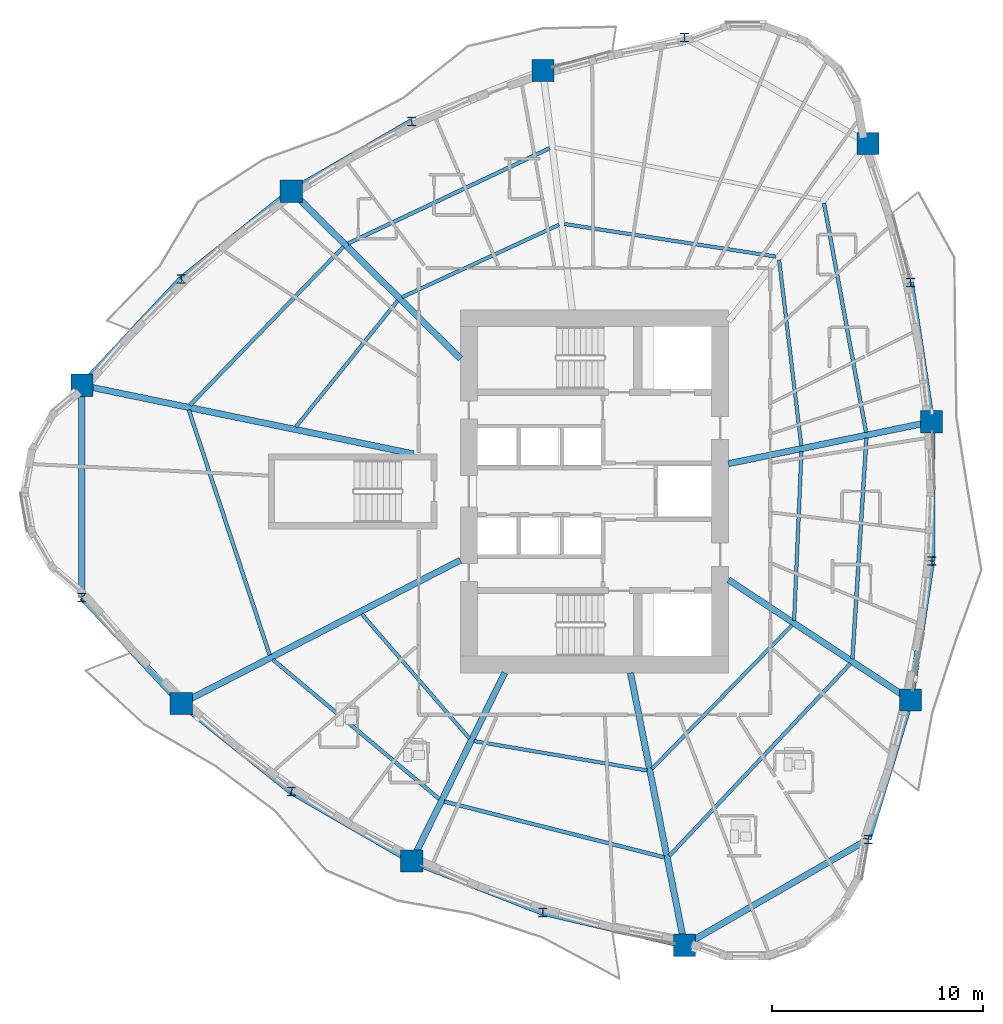
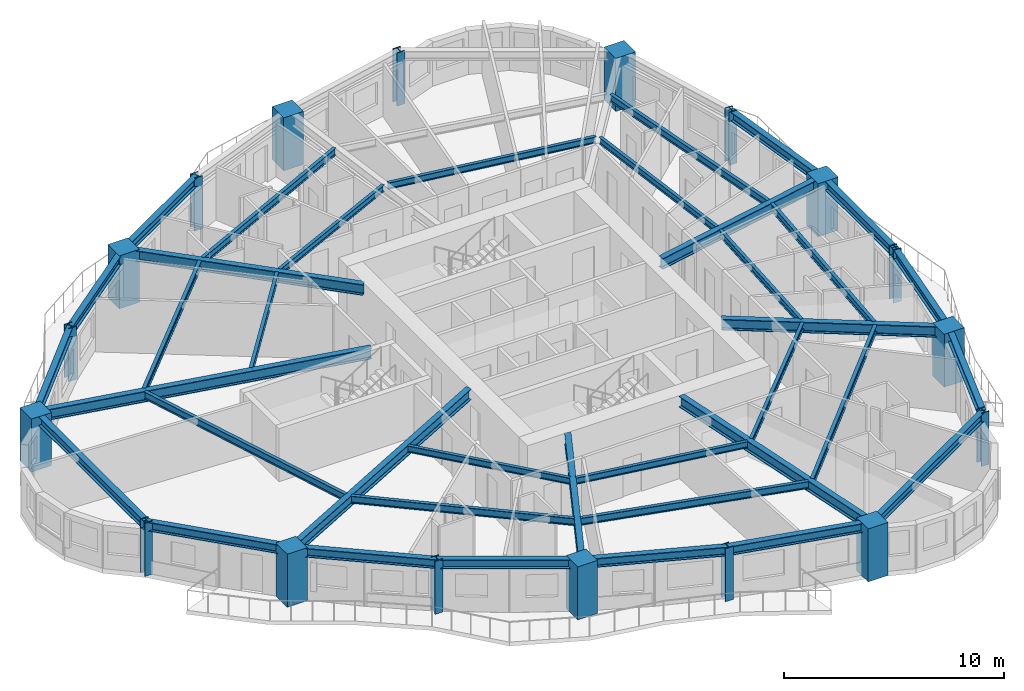
# One storey, part 1 of 14: 37 beams, 18 columns.
"""IFC4 building model written with IfcOpenShell, lengths in metres."""

from ifc_helpers import new_model, si_unit, direction, frame, origin, origin_2d, place, context, subcontext, project, spatial, rectangle, i_section, extrude, source, transform, mapped, material, material_profile, profile_set, type_object, element, save


model = new_model("IFC4")

# Units and contexts
model_context = context("Model", 3, precision=1e-05, world=origin(), true_north=direction((0.0, 1.0)))
body_context = subcontext(model_context, "Body", "Model", "MODEL_VIEW")
ifc_project = project(units=[si_unit("LENGTHUNIT", "METRE"), si_unit("AREAUNIT", "SQUARE_METRE"), si_unit("VOLUMEUNIT", "CUBIC_METRE"), si_unit("PLANEANGLEUNIT", "RADIAN"), si_unit("MASSUNIT", "GRAM", prefix="KILO")], contexts=[model_context])

# Site, building, storey
site_placement = place(None, origin())
site = spatial("IfcSite", under=ifc_project, at=site_placement, CompositionType="ELEMENT")
building_placement = place(site_placement, origin())
building = spatial("IfcBuilding", under=site, at=building_placement, Name="Qafzar Sky-Pleat Residences", CompositionType="ELEMENT")
storey_placement = place(building_placement, frame((0.0, 0.0, 39.800048828125)))
storey = spatial("IfcBuildingStorey", under=building, at=storey_placement, Name="L11", CompositionType="ELEMENT", Elevation=39.800048828125)

# Columns
ifc_material_1 = material(Name="Concrete C60/75", Category="concrete")
ifc_material_profile_1 = material_profile(ifc_material_1, rectangle(XDim=1.050048828125, YDim=1.050048828125, at=origin_2d()), Name="RC 1050x1050")
ifc_profile_set_1 = profile_set([ifc_material_profile_1], Name="Concrete C60/75")
column_type_1 = type_object("IfcColumnType", Name="COL-RC-1050", PredefinedType="COLUMN", material=ifc_profile_set_1)
shared_shape_1 = source(origin(), body_context, "Body", "SweptSolid", [
    extrude(rectangle(XDim=1.050048828125, YDim=1.050048828125, at=origin_2d()), origin(), (0.0, 0.0, 1.0), 2.93994140625),
])
for number, where, z_axis, x_axis, name in (
    (1, (6.06494140625, 31.02294921875, 0.0), (0.0, 0.0, 1.0), (1.0, 0.0, 0.0), "L11 Perimeter Mega Column 1"),
    (2, (10.773193359375, 15.944091796875, 0.0), (0.0, 0.0, 1.0), (1.0, 0.0, 0.0), "L11 Perimeter Mega Column 3"),
    (3, (21.693115234375, 8.482177734375, 0.0), (0.0, 0.0, 1.0), (1.0, 0.0, 0.0), "L11 Perimeter Mega Column 5"),
    (4, (34.617431640625, 4.4921875, 0.0), (0.0, 0.0, 1.0), (1.0, 0.0, 0.0), "L11 Perimeter Mega Column 7"),
    (5, (45.322021484375, 16.109130859375, 0.0), (0.0, 0.0, 1.0), (1.0, 0.0, 0.0), "L11 Perimeter Mega Column 9"),
    (6, (46.32421875, 29.297119140625, 0.0), (0.0, 0.0, 1.0), (1.0, 0.0, 0.0), "L11 Perimeter Mega Column 11"),
    (7, (43.3173828125, 42.48486328125, 0.0), (0.0, 0.0, 1.0), (1.0, 0.0, 0.0), "L11 Perimeter Mega Column 13"),
    (8, (27.90478515625, 45.94677734375, 0.0), (0.0, 0.0, 1.0), (1.0, 0.0, 0.0), "L11 Perimeter Mega Column 15"),
    (9, (15.982666015625, 40.220947265625, 0.0), (0.0, 0.0, 1.0), (1.0, 0.0, 0.0), "L11 Perimeter Mega Column 17"),
):
    element("IfcColumn", number, at=place(storey_placement, frame(where, z_axis=z_axis, x_axis=x_axis)), inside=storey, type_object=column_type_1, Name=name, PredefinedType="COLUMN", context=body_context, shape_type="MappedRepresentation", body=[
        mapped(shared_shape_1, transform((0.0, 0.0, 0.0), x_axis=(1.0, 0.0, 0.0), y_axis=(0.0, 1.0, 0.0), z_axis=(0.0, 0.0, 1.0), scale=1.0)),
    ])
ifc_material_2 = material(Name="Steel S460", Category="steel")
ifc_material_profile_2 = material_profile(ifc_material_2, i_section(OverallWidth=0.408935546875, OverallDepth=0.425048828125, WebThickness=0.030029296875, FlangeThickness=0.048095703125, FilletRadius=0.014892578125, at=origin_2d()), Name="HD 400x421")
ifc_profile_set_2 = profile_set([ifc_material_profile_2], Name="Steel S460")
column_type_2 = type_object("IfcColumnType", Name="COL-STL-HD421", PredefinedType="PILASTER", material=ifc_profile_set_2)
shared_shape_2 = source(origin(), body_context, "Body", "SweptSolid", [
    extrude(i_section(OverallWidth=0.408935546875, OverallDepth=0.425048828125, WebThickness=0.030029296875, FlangeThickness=0.048095703125, FilletRadius=0.014892578125, at=origin_2d()), origin(), (0.0, 0.0, 1.0), 2.93994140625),
])
for number, where, z_axis, x_axis, name in (
    (10, (6.06494140625, 20.97705078125, 0.0), (0.0, 0.0, 1.0), (1.0, 0.0, 0.0), "L11 Perimeter Mega Column 2"),
    (11, (15.982666015625, 11.779052734375, 0.0), (0.0, 0.0, 1.0), (1.0, 0.0, 0.0), "L11 Perimeter Mega Column 4"),
    (12, (27.90478515625, 6.05322265625, 0.0), (0.0, 0.0, 1.0), (1.0, 0.0, 0.0), "L11 Perimeter Mega Column 6"),
    (13, (43.3173828125, 9.51513671875, 0.0), (0.0, 0.0, 1.0), (1.0, 0.0, 0.0), "L11 Perimeter Mega Column 8"),
    (14, (46.32421875, 22.702880859375, 0.0), (0.0, 0.0, 1.0), (1.0, 0.0, 0.0), "L11 Perimeter Mega Column 10"),
    (15, (45.322021484375, 35.890869140625, 0.0), (0.0, 0.0, 1.0), (1.0, 0.0, 0.0), "L11 Perimeter Mega Column 12"),
    (16, (34.617431640625, 47.5078125, 0.0), (0.0, 0.0, 1.0), (1.0, 0.0, 0.0), "L11 Perimeter Mega Column 14"),
    (17, (21.693115234375, 43.517822265625, 0.0), (0.0, 0.0, 1.0), (1.0, 0.0, 0.0), "L11 Perimeter Mega Column 16"),
    (18, (10.773193359375, 36.055908203125, 0.0), (0.0, 0.0, 1.0), (1.0, 0.0, 0.0), "L11 Perimeter Mega Column 18"),
):
    element("IfcColumn", number, at=place(storey_placement, frame(where, z_axis=z_axis, x_axis=x_axis)), inside=storey, type_object=column_type_2, Name=name, PredefinedType="PILASTER", context=body_context, shape_type="MappedRepresentation", body=[
        mapped(shared_shape_2, transform((0.0, 0.0, 0.0), x_axis=(1.0, 0.0, 0.0), y_axis=(0.0, 1.0, 0.0), z_axis=(0.0, 0.0, 1.0), scale=1.0)),
    ])

# Beams
ifc_material_3 = material(Name="Steel S355", Category="steel")
ifc_material_profile_3 = material_profile(ifc_material_3, i_section(OverallWidth=0.300048828125, OverallDepth=0.5, WebThickness=0.014404296875, FlangeThickness=0.028076171875, FilletRadius=0.027099609375, at=origin_2d()), Name="HEB 500")
ifc_profile_set_3 = profile_set([ifc_material_profile_3], Name="Steel S355")
beam_type_1 = type_object("IfcBeamType", Name="BM-SPAN-HEB500", PredefinedType="SPANDREL", material=ifc_profile_set_3)
shared_shape_3 = source(origin(), body_context, "Body", "SweptSolid", [
    extrude(i_section(OverallWidth=0.300048828125, OverallDepth=0.5, WebThickness=0.014404296875, FlangeThickness=0.028076171875, FilletRadius=0.027099609375, at=origin_2d()), origin(), (0.0, 0.0, 1.0), 10.0458984375),
])
for number, where, z_axis, x_axis, name in (
    (19, (6.06494140625, 31.02294921875, 2.68798828125), (0.0, -1.0, 0.0), (1.0, 0.0, 0.0), "L11 Perimeter Spandrel Beam 1"),
    (20, (34.617431640625, 4.4921875, 2.68798828125), (0.866024107753, 0.500002244785, 0.0), (-0.500002244785, 0.866024107753, 0.0), "L11 Perimeter Spandrel Beam 7"),
):
    element("IfcBeam", number, at=place(storey_placement, frame(where, z_axis=z_axis, x_axis=x_axis)), inside=storey, type_object=beam_type_1, Name=name, PredefinedType="SPANDREL", context=body_context, shape_type="MappedRepresentation", body=[
        mapped(shared_shape_3, transform((0.0, 0.0, 0.0), x_axis=(1.0, 0.0, 0.0), y_axis=(0.0, 1.0, 0.0), z_axis=(0.0, 0.0, 1.0), scale=1.0)),
    ])
shared_shape_4 = source(origin(), body_context, "Body", "SweptSolid", [
    extrude(i_section(OverallWidth=0.300048828125, OverallDepth=0.5, WebThickness=0.014404296875, FlangeThickness=0.028076171875, FilletRadius=0.027099609375, at=origin_2d()), origin(), (0.0, 0.0, 1.0), 6.891845703125),
])
for number, where, z_axis, x_axis, name in (
    (21, (6.06494140625, 20.97705078125, 2.68798828125), (0.683157128776, -0.730271413519, 0.0), (0.730271413519, 0.683157128776, 0.0), "L11 Perimeter Spandrel Beam 2"),
    (22, (27.90478515625, 6.05322265625, 2.68798828125), (0.974009481097, -0.226507242122, 0.0), (0.226507242122, 0.974009481097, 0.0), "L11 Perimeter Spandrel Beam 6"),
    (23, (10.773193359375, 36.055908203125, 2.68798828125), (-0.683157128776, -0.730271413519, 0.0), (0.730271413519, -0.683157128776, 0.0), "L11 Perimeter Spandrel Beam 18"),
):
    element("IfcBeam", number, at=place(storey_placement, frame(where, z_axis=z_axis, x_axis=x_axis)), inside=storey, type_object=beam_type_1, Name=name, PredefinedType="SPANDREL", context=body_context, shape_type="MappedRepresentation", body=[
        mapped(shared_shape_4, transform((0.0, 0.0, 0.0), x_axis=(1.0, 0.0, 0.0), y_axis=(0.0, 1.0, 0.0), z_axis=(0.0, 0.0, 1.0), scale=1.0)),
    ])
shared_shape_5 = source(origin(), body_context, "Body", "SweptSolid", [
    extrude(i_section(OverallWidth=0.300048828125, OverallDepth=0.5, WebThickness=0.014404296875, FlangeThickness=0.028076171875, FilletRadius=0.027099609375, at=origin_2d()), origin(), (0.0, 0.0, 1.0), 6.669677734375),
])
for number, where, z_axis, x_axis, name in (
    (24, (10.773193359375, 15.944091796875, 2.68798828125), (0.781054472885, -0.624462897526, 0.0), (0.624462897526, 0.781054472885, 0.0), "L11 Perimeter Spandrel Beam 3"),
    (25, (21.693115234375, 8.482177734375, 2.68798828125), (0.931329164227, -0.364178510981, 0.0), (0.364178510981, 0.931329164227, 0.0), "L11 Perimeter Spandrel Beam 5"),
    (26, (15.982666015625, 40.220947265625, 2.68798828125), (-0.781054472885, -0.624462897526, 0.0), (0.624462897526, -0.781054472885, 0.0), "L11 Perimeter Spandrel Beam 17"),
):
    element("IfcBeam", number, at=place(storey_placement, frame(where, z_axis=z_axis, x_axis=x_axis)), inside=storey, type_object=beam_type_1, Name=name, PredefinedType="SPANDREL", context=body_context, shape_type="MappedRepresentation", body=[
        mapped(shared_shape_5, transform((0.0, 0.0, 0.0), x_axis=(1.0, 0.0, 0.0), y_axis=(0.0, 1.0, 0.0), z_axis=(0.0, 0.0, 1.0), scale=1.0)),
    ])
shared_shape_6 = source(origin(), body_context, "Body", "SweptSolid", [
    extrude(i_section(OverallWidth=0.300048828125, OverallDepth=0.5, WebThickness=0.014404296875, FlangeThickness=0.028076171875, FilletRadius=0.027099609375, at=origin_2d()), origin(), (0.0, 0.0, 1.0), 6.59375),
])
for number, where, z_axis, x_axis, name in (
    (27, (15.982666015625, 11.779052734375, 2.68798828125), (0.866028975758, -0.49999381311, 0.0), (0.49999381311, 0.866028975758, 0.0), "L11 Perimeter Spandrel Beam 4"),
    (28, (21.693115234375, 43.517822265625, 2.68798828125), (-0.866028975758, -0.49999381311, 0.0), (0.49999381311, -0.866028975758, 0.0), "L11 Perimeter Spandrel Beam 16"),
):
    element("IfcBeam", number, at=place(storey_placement, frame(where, z_axis=z_axis, x_axis=x_axis)), inside=storey, type_object=beam_type_1, Name=name, PredefinedType="SPANDREL", context=body_context, shape_type="MappedRepresentation", body=[
        mapped(shared_shape_6, transform((0.0, 0.0, 0.0), x_axis=(1.0, 0.0, 0.0), y_axis=(0.0, 1.0, 0.0), z_axis=(0.0, 0.0, 1.0), scale=1.0)),
    ])
shared_shape_7 = source(origin(), body_context, "Body", "SweptSolid", [
    extrude(i_section(OverallWidth=0.300048828125, OverallDepth=0.5, WebThickness=0.014404296875, FlangeThickness=0.028076171875, FilletRadius=0.027099609375, at=origin_2d()), origin(), (0.0, 0.0, 1.0), 6.89208984375),
])
beam_1_placement = place(storey_placement, frame((43.3173828125, 9.51513671875, 2.68798828125), z_axis=(0.290865585576, 0.95676392654, 0.0), x_axis=(-0.95676392654, 0.290865585576, 0.0)))
element("IfcBeam", 29, at=beam_1_placement, inside=storey, type_object=beam_type_1, Name="L11 Perimeter Spandrel Beam 8", PredefinedType="SPANDREL", context=body_context, shape_type="MappedRepresentation", body=[
    mapped(shared_shape_7, transform((0.0, 0.0, 0.0), x_axis=(1.0, 0.0, 0.0), y_axis=(0.0, 1.0, 0.0), z_axis=(0.0, 0.0, 1.0), scale=1.0)),
])
shared_shape_8 = source(origin(), body_context, "Body", "SweptSolid", [
    extrude(i_section(OverallWidth=0.300048828125, OverallDepth=0.5, WebThickness=0.014404296875, FlangeThickness=0.028076171875, FilletRadius=0.027099609375, at=origin_2d()), origin(), (0.0, 0.0, 1.0), 6.66943359375),
])
for number, where, z_axis, x_axis, name in (
    (30, (45.322021484375, 16.109130859375, 2.68798828125), (0.150266219826, 0.98864557005, 0.0), (-0.98864557005, 0.150266219826, 0.0), "L11 Perimeter Spandrel Beam 9"),
    (31, (46.32421875, 29.297119140625, 2.68798828125), (-0.150266219826, 0.98864557005, 0.0), (-0.98864557005, -0.150266219826, 0.0), "L11 Perimeter Spandrel Beam 11"),
):
    element("IfcBeam", number, at=place(storey_placement, frame(where, z_axis=z_axis, x_axis=x_axis)), inside=storey, type_object=beam_type_1, Name=name, PredefinedType="SPANDREL", context=body_context, shape_type="MappedRepresentation", body=[
        mapped(shared_shape_8, transform((0.0, 0.0, 0.0), x_axis=(1.0, 0.0, 0.0), y_axis=(0.0, 1.0, 0.0), z_axis=(0.0, 0.0, 1.0), scale=1.0)),
    ])
shared_shape_9 = source(origin(), body_context, "Body", "SweptSolid", [
    extrude(i_section(OverallWidth=0.300048828125, OverallDepth=0.5, WebThickness=0.014404296875, FlangeThickness=0.028076171875, FilletRadius=0.027099609375, at=origin_2d()), origin(), (0.0, 0.0, 1.0), 6.59423828125),
])
beam_2_placement = place(storey_placement, frame((46.32421875, 22.702880859375, 2.68798828125), z_axis=(0.0, 1.0, 0.0), x_axis=(-1.0, 0.0, 0.0)))
element("IfcBeam", 32, at=beam_2_placement, inside=storey, type_object=beam_type_1, Name="L11 Perimeter Spandrel Beam 10", PredefinedType="SPANDREL", context=body_context, shape_type="MappedRepresentation", body=[
    mapped(shared_shape_9, transform((0.0, 0.0, 0.0), x_axis=(1.0, 0.0, 0.0), y_axis=(0.0, 1.0, 0.0), z_axis=(0.0, 0.0, 1.0), scale=1.0)),
])
ifc_material_profile_4 = material_profile(ifc_material_3, i_section(OverallWidth=0.300048828125, OverallDepth=0.60009765625, WebThickness=0.015380859375, FlangeThickness=0.030029296875, FilletRadius=0.027099609375, at=origin_2d()), Name="HEB 600")
ifc_profile_set_4 = profile_set([ifc_material_profile_4], Name="Steel S355")
beam_type_2 = type_object("IfcBeamType", Name="BM-GIRD-HEB600", PredefinedType="BEAM", material=ifc_profile_set_4)
shared_shape_10 = source(origin(), body_context, "Body", "SweptSolid", [
    extrude(i_section(OverallWidth=0.300048828125, OverallDepth=0.60009765625, WebThickness=0.015380859375, FlangeThickness=0.030029296875, FilletRadius=0.027099609375, at=origin_2d()), origin(), (0.0, 0.0, 1.0), 16.035400390625),
])
beam_3_placement = place(storey_placement, frame((6.06494140625, 31.02294921875, 2.637939453125), z_axis=(0.979271250938, -0.202553245063, 0.0), x_axis=(0.202553245063, 0.979271250938, 0.0)))
element("IfcBeam", 33, at=beam_3_placement, inside=storey, type_object=beam_type_2, Name="L11 Radial Floor Girder 1", PredefinedType="BEAM", context=body_context, shape_type="MappedRepresentation", body=[
    mapped(shared_shape_10, transform((0.0, 0.0, 0.0), x_axis=(1.0, 0.0, 0.0), y_axis=(0.0, 1.0, 0.0), z_axis=(0.0, 0.0, 1.0), scale=1.0)),
])
shared_shape_11 = source(origin(), body_context, "Body", "SweptSolid", [
    extrude(i_section(OverallWidth=0.300048828125, OverallDepth=0.60009765625, WebThickness=0.015380859375, FlangeThickness=0.030029296875, FilletRadius=0.027099609375, at=origin_2d()), origin(), (0.0, 0.0, 1.0), 14.86962890625),
])
beam_4_placement = place(storey_placement, frame((10.773193359375, 15.944091796875, 2.637939453125), z_axis=(0.88951111228, 0.456913537915, 0.0), x_axis=(-0.456913537915, 0.88951111228, 0.0)))
element("IfcBeam", 34, at=beam_4_placement, inside=storey, type_object=beam_type_2, Name="L11 Radial Floor Girder 3", PredefinedType="BEAM", context=body_context, shape_type="MappedRepresentation", body=[
    mapped(shared_shape_11, transform((0.0, 0.0, 0.0), x_axis=(1.0, 0.0, 0.0), y_axis=(0.0, 1.0, 0.0), z_axis=(0.0, 0.0, 1.0), scale=1.0)),
])
shared_shape_12 = source(origin(), body_context, "Body", "SweptSolid", [
    extrude(i_section(OverallWidth=0.300048828125, OverallDepth=0.60009765625, WebThickness=0.015380859375, FlangeThickness=0.030029296875, FilletRadius=0.027099609375, at=origin_2d()), origin(), (0.0, 0.0, 1.0), 9.947265625),
])
beam_5_placement = place(storey_placement, frame((21.693115234375, 8.482177734375, 2.637939453125), z_axis=(0.443036319431, 0.896503664055, 0.0), x_axis=(-0.896503664055, 0.443036319431, 0.0)))
element("IfcBeam", 35, at=beam_5_placement, inside=storey, type_object=beam_type_2, Name="L11 Radial Floor Girder 5", PredefinedType="BEAM", context=body_context, shape_type="MappedRepresentation", body=[
    mapped(shared_shape_12, transform((0.0, 0.0, 0.0), x_axis=(1.0, 0.0, 0.0), y_axis=(0.0, 1.0, 0.0), z_axis=(0.0, 0.0, 1.0), scale=1.0)),
])
shared_shape_13 = source(origin(), body_context, "Body", "SweptSolid", [
    extrude(i_section(OverallWidth=0.300048828125, OverallDepth=0.60009765625, WebThickness=0.015380859375, FlangeThickness=0.030029296875, FilletRadius=0.027099609375, at=origin_2d()), origin(), (0.0, 0.0, 1.0), 13.159423828125),
])
beam_6_placement = place(storey_placement, frame((34.617431640625, 4.4921875, 2.637939453125), z_axis=(-0.194617421926, 0.980879227572, 0.0), x_axis=(-0.980879227572, -0.194617421926, 0.0)))
element("IfcBeam", 36, at=beam_6_placement, inside=storey, type_object=beam_type_2, Name="L11 Radial Floor Girder 7", PredefinedType="BEAM", context=body_context, shape_type="MappedRepresentation", body=[
    mapped(shared_shape_13, transform((0.0, 0.0, 0.0), x_axis=(1.0, 0.0, 0.0), y_axis=(0.0, 1.0, 0.0), z_axis=(0.0, 0.0, 1.0), scale=1.0)),
])
shared_shape_14 = source(origin(), body_context, "Body", "SweptSolid", [
    extrude(i_section(OverallWidth=0.300048828125, OverallDepth=0.60009765625, WebThickness=0.015380859375, FlangeThickness=0.030029296875, FilletRadius=0.027099609375, at=origin_2d()), origin(), (0.0, 0.0, 1.0), 10.33349609375),
])
beam_7_placement = place(storey_placement, frame((45.322021484375, 16.109130859375, 2.637939453125), z_axis=(-0.834376455405, 0.551195002395, 0.0), x_axis=(-0.551195002395, -0.834376455405, 0.0)))
element("IfcBeam", 37, at=beam_7_placement, inside=storey, type_object=beam_type_2, Name="L11 Radial Floor Girder 9", PredefinedType="BEAM", context=body_context, shape_type="MappedRepresentation", body=[
    mapped(shared_shape_14, transform((0.0, 0.0, 0.0), x_axis=(1.0, 0.0, 0.0), y_axis=(0.0, 1.0, 0.0), z_axis=(0.0, 0.0, 1.0), scale=1.0)),
])
shared_shape_15 = source(origin(), body_context, "Body", "SweptSolid", [
    extrude(i_section(OverallWidth=0.300048828125, OverallDepth=0.60009765625, WebThickness=0.015380859375, FlangeThickness=0.030029296875, FilletRadius=0.027099609375, at=origin_2d()), origin(), (0.0, 0.0, 1.0), 9.8271484375),
])
beam_8_placement = place(storey_placement, frame((46.32421875, 29.297119140625, 2.637939453125), z_axis=(-0.979354305719, -0.202151289557, 0.0), x_axis=(0.202151289557, -0.979354305719, 0.0)))
element("IfcBeam", 38, at=beam_8_placement, inside=storey, type_object=beam_type_2, Name="L11 Radial Floor Girder 11", PredefinedType="BEAM", context=body_context, shape_type="MappedRepresentation", body=[
    mapped(shared_shape_15, transform((0.0, 0.0, 0.0), x_axis=(1.0, 0.0, 0.0), y_axis=(0.0, 1.0, 0.0), z_axis=(0.0, 0.0, 1.0), scale=1.0)),
])
shared_shape_16 = source(origin(), body_context, "Body", "SweptSolid", [
    extrude(i_section(OverallWidth=0.300048828125, OverallDepth=0.60009765625, WebThickness=0.015380859375, FlangeThickness=0.030029296875, FilletRadius=0.027099609375, at=origin_2d()), origin(), (0.0, 0.0, 1.0), 11.280517578125),
])
beam_9_placement = place(storey_placement, frame((15.982666015625, 40.220947265625, 2.637939453125), z_axis=(0.710722630648, -0.703472346496, 0.0), x_axis=(0.703472346496, 0.710722630648, 0.0)))
element("IfcBeam", 39, at=beam_9_placement, inside=storey, type_object=beam_type_2, Name="L11 Radial Floor Girder 17", PredefinedType="BEAM", context=body_context, shape_type="MappedRepresentation", body=[
    mapped(shared_shape_16, transform((0.0, 0.0, 0.0), x_axis=(1.0, 0.0, 0.0), y_axis=(0.0, 1.0, 0.0), z_axis=(0.0, 0.0, 1.0), scale=1.0)),
])
ifc_material_profile_5 = material_profile(ifc_material_3, i_section(OverallWidth=0.179931640625, OverallDepth=0.39990234375, WebThickness=0.008544921875, FlangeThickness=0.013427734375, FilletRadius=0.02099609375, at=origin_2d()), Name="IPE 400")
ifc_profile_set_5 = profile_set([ifc_material_profile_5], Name="Steel S355")
beam_type_3 = type_object("IfcBeamType", Name="BM-JST-IPE400", PredefinedType="JOIST", material=ifc_profile_set_5)
shared_shape_17 = source(origin(), body_context, "Body", "SweptSolid", [
    extrude(i_section(OverallWidth=0.179931640625, OverallDepth=0.39990234375, WebThickness=0.008544921875, FlangeThickness=0.013427734375, FilletRadius=0.02099609375, at=origin_2d()), origin(), (0.0, 0.0, 1.0), 12.224853515625),
])
beam_10_placement = place(storey_placement, frame((11.13232421875, 29.85546875, 2.738037109375), z_axis=(0.313380515815, -0.949627638766, 0.0), x_axis=(0.949627638766, 0.313380515815, 0.0)))
element("IfcBeam", 40, at=beam_10_placement, inside=storey, type_object=beam_type_3, Name="L11 Outer Secondary Floor Joist 1", PredefinedType="JOIST", context=body_context, shape_type="MappedRepresentation", body=[
    mapped(shared_shape_17, transform((0.0, 0.0, 0.0), x_axis=(1.0, 0.0, 0.0), y_axis=(0.0, 1.0, 0.0), z_axis=(0.0, 0.0, 1.0), scale=1.0)),
])
shared_shape_18 = source(origin(), body_context, "Body", "SweptSolid", [
    extrude(i_section(OverallWidth=0.179931640625, OverallDepth=0.39990234375, WebThickness=0.008544921875, FlangeThickness=0.013427734375, FilletRadius=0.02099609375, at=origin_2d()), origin(), (0.0, 0.0, 1.0), 10.29248046875),
])
beam_11_placement = place(storey_placement, frame((15.109375, 18.031494140625, 2.738037109375), z_axis=(0.766614834717, -0.642107230291, 0.0), x_axis=(0.642107230291, 0.766614834717, 0.0)))
element("IfcBeam", 41, at=beam_11_placement, inside=storey, type_object=beam_type_3, Name="L11 Outer Secondary Floor Joist 2", PredefinedType="JOIST", context=body_context, shape_type="MappedRepresentation", body=[
    mapped(shared_shape_18, transform((0.0, 0.0, 0.0), x_axis=(1.0, 0.0, 0.0), y_axis=(0.0, 1.0, 0.0), z_axis=(0.0, 0.0, 1.0), scale=1.0)),
])
shared_shape_19 = source(origin(), body_context, "Body", "SweptSolid", [
    extrude(i_section(OverallWidth=0.179931640625, OverallDepth=0.39990234375, WebThickness=0.008544921875, FlangeThickness=0.013427734375, FilletRadius=0.02099609375, at=origin_2d()), origin(), (0.0, 0.0, 1.0), 10.763427734375),
])
beam_12_placement = place(storey_placement, frame((23.234130859375, 11.302734375, 2.738037109375), z_axis=(0.969294730882, -0.245901859862, 0.0), x_axis=(0.245901859862, 0.969294730882, 0.0)))
element("IfcBeam", 42, at=beam_12_placement, inside=storey, type_object=beam_type_3, Name="L11 Outer Secondary Floor Joist 3", PredefinedType="JOIST", context=body_context, shape_type="MappedRepresentation", body=[
    mapped(shared_shape_19, transform((0.0, 0.0, 0.0), x_axis=(1.0, 0.0, 0.0), y_axis=(0.0, 1.0, 0.0), z_axis=(0.0, 0.0, 1.0), scale=1.0)),
])
shared_shape_20 = source(origin(), body_context, "Body", "SweptSolid", [
    extrude(i_section(OverallWidth=0.179931640625, OverallDepth=0.39990234375, WebThickness=0.008544921875, FlangeThickness=0.013427734375, FilletRadius=0.02099609375, at=origin_2d()), origin(), (0.0, 0.0, 1.0), 12.51611328125),
])
beam_13_placement = place(storey_placement, frame((33.890380859375, 8.72119140625, 2.738037109375), z_axis=(0.685525313068, 0.728048793106, 0.0), x_axis=(-0.728048793106, 0.685525313068, 0.0)))
element("IfcBeam", 43, at=beam_13_placement, inside=storey, type_object=beam_type_3, Name="L11 Outer Secondary Floor Joist 4", PredefinedType="JOIST", context=body_context, shape_type="MappedRepresentation", body=[
    mapped(shared_shape_20, transform((0.0, 0.0, 0.0), x_axis=(1.0, 0.0, 0.0), y_axis=(0.0, 1.0, 0.0), z_axis=(0.0, 0.0, 1.0), scale=1.0)),
])
shared_shape_21 = source(origin(), body_context, "Body", "SweptSolid", [
    extrude(i_section(OverallWidth=0.179931640625, OverallDepth=0.39990234375, WebThickness=0.008544921875, FlangeThickness=0.013427734375, FilletRadius=0.02099609375, at=origin_2d()), origin(), (0.0, 0.0, 1.0), 10.481201171875),
])
beam_14_placement = place(storey_placement, frame((42.571533203125, 18.06640625, 2.738037109375), z_axis=(0.063403507152, 0.997987973515, 0.0), x_axis=(-0.997987973515, 0.063403507152, 0.0)))
element("IfcBeam", 44, at=beam_14_placement, inside=storey, type_object=beam_type_3, Name="L11 Outer Secondary Floor Joist 5", PredefinedType="JOIST", context=body_context, shape_type="MappedRepresentation", body=[
    mapped(shared_shape_21, transform((0.0, 0.0, 0.0), x_axis=(1.0, 0.0, 0.0), y_axis=(0.0, 1.0, 0.0), z_axis=(0.0, 0.0, 1.0), scale=1.0)),
])
shared_shape_22 = source(origin(), body_context, "Body", "SweptSolid", [
    extrude(i_section(OverallWidth=0.179931640625, OverallDepth=0.39990234375, WebThickness=0.008544921875, FlangeThickness=0.013427734375, FilletRadius=0.02099609375, at=origin_2d()), origin(), (0.0, 0.0, 1.0), 11.0478515625),
])
beam_15_placement = place(storey_placement, frame((43.22021484375, 28.794189453125, 2.738037109375), z_axis=(-0.180656755631, 0.983546204631, 0.0), x_axis=(-0.983546204631, -0.180656755631, 0.0)))
element("IfcBeam", 45, at=beam_15_placement, inside=storey, type_object=beam_type_3, Name="L11 Outer Secondary Floor Joist 6", PredefinedType="JOIST", context=body_context, shape_type="MappedRepresentation", body=[
    mapped(shared_shape_22, transform((0.0, 0.0, 0.0), x_axis=(1.0, 0.0, 0.0), y_axis=(0.0, 1.0, 0.0), z_axis=(0.0, 0.0, 1.0), scale=1.0)),
])
shared_shape_23 = source(origin(), body_context, "Body", "SweptSolid", [
    extrude(i_section(OverallWidth=0.179931640625, OverallDepth=0.39990234375, WebThickness=0.008544921875, FlangeThickness=0.013427734375, FilletRadius=0.02099609375, at=origin_2d()), origin(), (0.0, 0.0, 1.0), 10.572021484375),
])
beam_16_placement = place(storey_placement, frame((28.227783203125, 42.258056640625, 2.738037109375), z_axis=(-0.904048417002, -0.427430064123, 0.0), x_axis=(0.427430064123, -0.904048417002, 0.0)))
element("IfcBeam", 46, at=beam_16_placement, inside=storey, type_object=beam_type_3, Name="L11 Outer Secondary Floor Joist 8", PredefinedType="JOIST", context=body_context, shape_type="MappedRepresentation", body=[
    mapped(shared_shape_23, transform((0.0, 0.0, 0.0), x_axis=(1.0, 0.0, 0.0), y_axis=(0.0, 1.0, 0.0), z_axis=(0.0, 0.0, 1.0), scale=1.0)),
])
shared_shape_24 = source(origin(), body_context, "Body", "SweptSolid", [
    extrude(i_section(OverallWidth=0.179931640625, OverallDepth=0.39990234375, WebThickness=0.008544921875, FlangeThickness=0.013427734375, FilletRadius=0.02099609375, at=origin_2d()), origin(), (0.0, 0.0, 1.0), 10.448486328125),
])
beam_17_placement = place(storey_placement, frame((18.4541015625, 37.584716796875, 2.738037109375), z_axis=(-0.69582572679, -0.718210664037, 0.0), x_axis=(0.718210664037, -0.69582572679, 0.0)))
element("IfcBeam", 47, at=beam_17_placement, inside=storey, type_object=beam_type_3, Name="L11 Outer Secondary Floor Joist 9", PredefinedType="JOIST", context=body_context, shape_type="MappedRepresentation", body=[
    mapped(shared_shape_24, transform((0.0, 0.0, 0.0), x_axis=(1.0, 0.0, 0.0), y_axis=(0.0, 1.0, 0.0), z_axis=(0.0, 0.0, 1.0), scale=1.0)),
])
ifc_material_profile_6 = material_profile(ifc_material_3, i_section(OverallWidth=0.169921875, OverallDepth=0.360107421875, WebThickness=0.008056640625, FlangeThickness=0.0126953125, FilletRadius=0.01806640625, at=origin_2d()), Name="IPE 360")
ifc_profile_set_6 = profile_set([ifc_material_profile_6], Name="Steel S355")
beam_type_4 = type_object("IfcBeamType", Name="BM-JST-IPE360", PredefinedType="JOIST", material=ifc_profile_set_6)
shared_shape_25 = source(origin(), body_context, "Body", "SweptSolid", [
    extrude(i_section(OverallWidth=0.169921875, OverallDepth=0.360107421875, WebThickness=0.008056640625, FlangeThickness=0.0126953125, FilletRadius=0.01806640625, at=origin_2d()), origin(), (0.0, 0.0, 1.0), 7.796630859375),
])
beam_18_placement = place(storey_placement, frame((19.32666015625, 20.190185546875, 2.758056640625), z_axis=(0.65395243507, -0.756535665164, 0.0), x_axis=(0.756535665164, 0.65395243507, 0.0)))
element("IfcBeam", 48, at=beam_18_placement, inside=storey, type_object=beam_type_4, Name="L11 Inner Secondary Floor Joist 2", PredefinedType="JOIST", context=body_context, shape_type="MappedRepresentation", body=[
    mapped(shared_shape_25, transform((0.0, 0.0, 0.0), x_axis=(1.0, 0.0, 0.0), y_axis=(0.0, 1.0, 0.0), z_axis=(0.0, 0.0, 1.0), scale=1.0)),
])
shared_shape_26 = source(origin(), body_context, "Body", "SweptSolid", [
    extrude(i_section(OverallWidth=0.169921875, OverallDepth=0.360107421875, WebThickness=0.008056640625, FlangeThickness=0.0126953125, FilletRadius=0.01806640625, at=origin_2d()), origin(), (0.0, 0.0, 1.0), 8.315673828125),
])
beam_19_placement = place(storey_placement, frame((24.646728515625, 14.1669921875, 2.758056640625), z_axis=(0.985908042509, -0.167288169686, 0.0), x_axis=(0.167288169686, 0.985908042509, 0.0)))
element("IfcBeam", 49, at=beam_19_placement, inside=storey, type_object=beam_type_4, Name="L11 Inner Secondary Floor Joist 3", PredefinedType="JOIST", context=body_context, shape_type="MappedRepresentation", body=[
    mapped(shared_shape_26, transform((0.0, 0.0, 0.0), x_axis=(1.0, 0.0, 0.0), y_axis=(0.0, 1.0, 0.0), z_axis=(0.0, 0.0, 1.0), scale=1.0)),
])
shared_shape_27 = source(origin(), body_context, "Body", "SweptSolid", [
    extrude(i_section(OverallWidth=0.169921875, OverallDepth=0.360107421875, WebThickness=0.008056640625, FlangeThickness=0.0126953125, FilletRadius=0.01806640625, at=origin_2d()), origin(), (0.0, 0.0, 1.0), 9.5078125),
])
beam_20_placement = place(storey_placement, frame((33.072509765625, 12.849853515625, 2.758056640625), z_axis=(0.698075453476, 0.716024204377, 0.0), x_axis=(-0.716024204377, 0.698075453476, 0.0)))
element("IfcBeam", 50, at=beam_20_placement, inside=storey, type_object=beam_type_4, Name="L11 Inner Secondary Floor Joist 4", PredefinedType="JOIST", context=body_context, shape_type="MappedRepresentation", body=[
    mapped(shared_shape_27, transform((0.0, 0.0, 0.0), x_axis=(1.0, 0.0, 0.0), y_axis=(0.0, 1.0, 0.0), z_axis=(0.0, 0.0, 1.0), scale=1.0)),
])
shared_shape_28 = source(origin(), body_context, "Body", "SweptSolid", [
    extrude(i_section(OverallWidth=0.169921875, OverallDepth=0.360107421875, WebThickness=0.008056640625, FlangeThickness=0.0126953125, FilletRadius=0.01806640625, at=origin_2d()), origin(), (0.0, 0.0, 1.0), 8.009033203125),
])
beam_21_placement = place(storey_placement, frame((39.809814453125, 19.889404296875, 2.758056640625), z_axis=(0.043590673979, 0.999049474822, 0.0), x_axis=(-0.999049474822, 0.043590673979, 0.0)))
element("IfcBeam", 51, at=beam_21_placement, inside=storey, type_object=beam_type_4, Name="L11 Inner Secondary Floor Joist 5", PredefinedType="JOIST", context=body_context, shape_type="MappedRepresentation", body=[
    mapped(shared_shape_28, transform((0.0, 0.0, 0.0), x_axis=(1.0, 0.0, 0.0), y_axis=(0.0, 1.0, 0.0), z_axis=(0.0, 0.0, 1.0), scale=1.0)),
])
shared_shape_29 = source(origin(), body_context, "Body", "SweptSolid", [
    extrude(i_section(OverallWidth=0.169921875, OverallDepth=0.360107421875, WebThickness=0.008056640625, FlangeThickness=0.0126953125, FilletRadius=0.01806640625, at=origin_2d()), origin(), (0.0, 0.0, 1.0), 8.869384765625),
])
beam_22_placement = place(storey_placement, frame((40.148681640625, 28.159912109375, 2.758056640625), z_axis=(-0.118419036008, 0.992963711276, 0.0), x_axis=(-0.992963711276, -0.118419036008, 0.0)))
element("IfcBeam", 52, at=beam_22_placement, inside=storey, type_object=beam_type_4, Name="L11 Inner Secondary Floor Joist 6", PredefinedType="JOIST", context=body_context, shape_type="MappedRepresentation", body=[
    mapped(shared_shape_29, transform((0.0, 0.0, 0.0), x_axis=(1.0, 0.0, 0.0), y_axis=(0.0, 1.0, 0.0), z_axis=(0.0, 0.0, 1.0), scale=1.0)),
])
shared_shape_30 = source(origin(), body_context, "Body", "SweptSolid", [
    extrude(i_section(OverallWidth=0.169921875, OverallDepth=0.360107421875, WebThickness=0.008056640625, FlangeThickness=0.0126953125, FilletRadius=0.01806640625, at=origin_2d()), origin(), (0.0, 0.0, 1.0), 10.138671875),
])
beam_23_placement = place(storey_placement, frame((38.948974609375, 37.121337890625, 2.758056640625), z_axis=(-0.98835164535, 0.152187467075, 0.0), x_axis=(-0.152187467075, -0.98835164535, 0.0)))
element("IfcBeam", 53, at=beam_23_placement, inside=storey, type_object=beam_type_4, Name="L11 Inner Secondary Floor Joist 7", PredefinedType="JOIST", context=body_context, shape_type="MappedRepresentation", body=[
    mapped(shared_shape_30, transform((0.0, 0.0, 0.0), x_axis=(1.0, 0.0, 0.0), y_axis=(0.0, 1.0, 0.0), z_axis=(0.0, 0.0, 1.0), scale=1.0)),
])
shared_shape_31 = source(origin(), body_context, "Body", "SweptSolid", [
    extrude(i_section(OverallWidth=0.169921875, OverallDepth=0.360107421875, WebThickness=0.008056640625, FlangeThickness=0.0126953125, FilletRadius=0.01806640625, at=origin_2d()), origin(), (0.0, 0.0, 1.0), 8.18896484375),
])
beam_24_placement = place(storey_placement, frame((28.67236328125, 38.62841796875, 2.758056640625), z_axis=(-0.908067556374, -0.418823725522, 0.0), x_axis=(0.418823725522, -0.908067556374, 0.0)))
element("IfcBeam", 54, at=beam_24_placement, inside=storey, type_object=beam_type_4, Name="L11 Inner Secondary Floor Joist 8", PredefinedType="JOIST", context=body_context, shape_type="MappedRepresentation", body=[
    mapped(shared_shape_31, transform((0.0, 0.0, 0.0), x_axis=(1.0, 0.0, 0.0), y_axis=(0.0, 1.0, 0.0), z_axis=(0.0, 0.0, 1.0), scale=1.0)),
])
shared_shape_32 = source(origin(), body_context, "Body", "SweptSolid", [
    extrude(i_section(OverallWidth=0.169921875, OverallDepth=0.360107421875, WebThickness=0.008056640625, FlangeThickness=0.0126953125, FilletRadius=0.01806640625, at=origin_2d()), origin(), (0.0, 0.0, 1.0), 7.692626953125),
])
beam_25_placement = place(storey_placement, frame((21.029052734375, 35.037109375, 2.758056640625), z_axis=(-0.627790290759, -0.778382522176, 0.0), x_axis=(0.778382522176, -0.627790290759, 0.0)))
element("IfcBeam", 55, at=beam_25_placement, inside=storey, type_object=beam_type_4, Name="L11 Inner Secondary Floor Joist 9", PredefinedType="JOIST", context=body_context, shape_type="MappedRepresentation", body=[
    mapped(shared_shape_32, transform((0.0, 0.0, 0.0), x_axis=(1.0, 0.0, 0.0), y_axis=(0.0, 1.0, 0.0), z_axis=(0.0, 0.0, 1.0), scale=1.0)),
])

save(model, "model.ifc")
